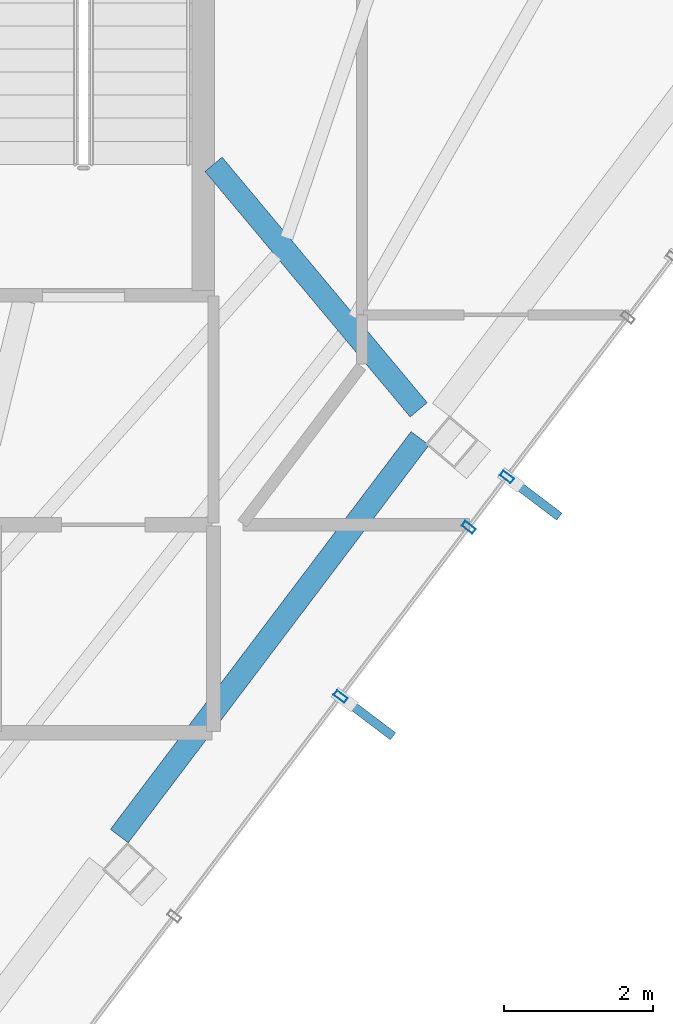
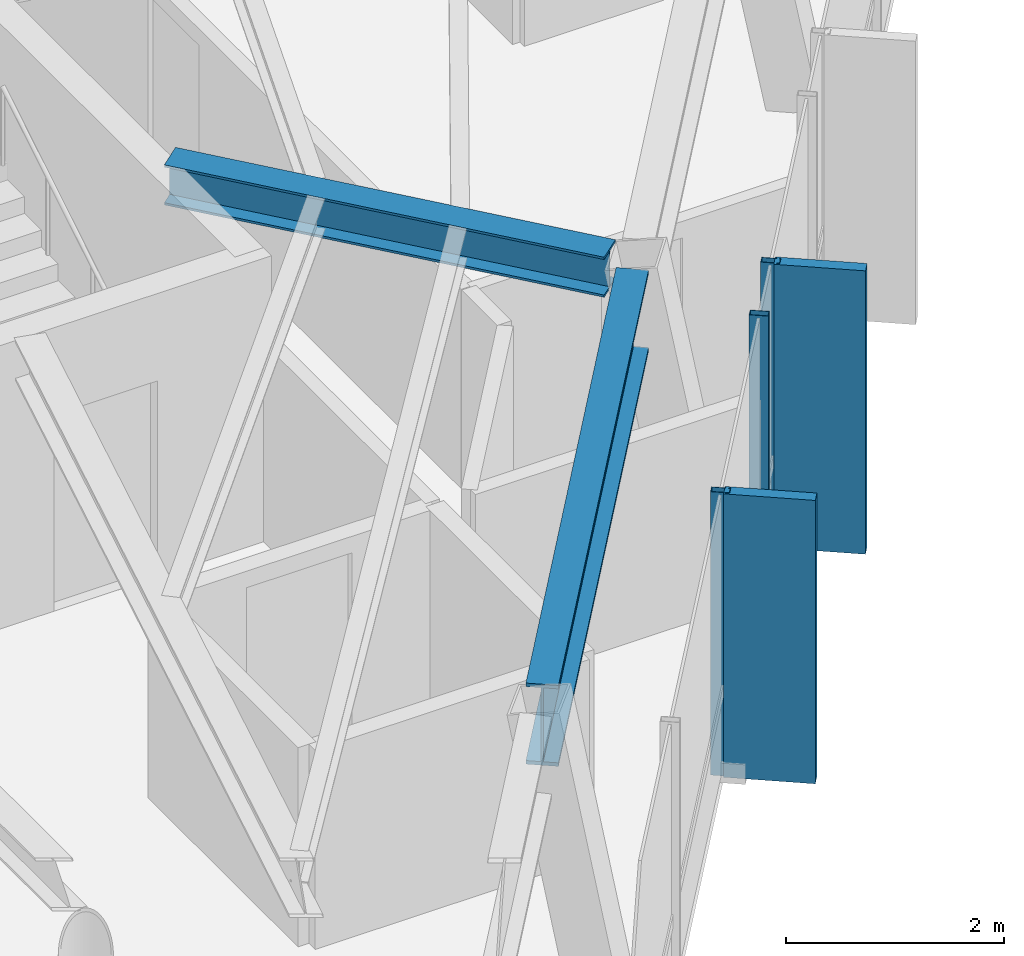
# One storey, part 16 of 26: 5 members, 2 beams, 1 element without a shape of its own.
"""IFC4 building model written with IfcOpenShell, lengths in metres."""

from ifc_helpers import new_model, si_unit, direction, frame, origin, origin_2d, place, context, subcontext, project, spatial, rectangle, hollow_rectangle, i_section, extrude, material, layer, layer_set, material_profile, profile_set, type_object, element, aggregate, save


model = new_model("IFC4")

# Units and contexts
model_context = context("Model", 3, precision=1e-05, world=origin(), true_north=direction((0.0, 1.0)))
body_context = subcontext(model_context, "Body", "Model", "MODEL_VIEW")
ifc_project = project(units=[si_unit("LENGTHUNIT", "METRE"), si_unit("AREAUNIT", "SQUARE_METRE"), si_unit("VOLUMEUNIT", "CUBIC_METRE"), si_unit("PLANEANGLEUNIT", "RADIAN"), si_unit("MASSUNIT", "GRAM", prefix="KILO")], contexts=[model_context])

# Site, building, storey
site_placement = place(None, origin())
site = spatial("IfcSite", under=ifc_project, at=site_placement, CompositionType="ELEMENT")
building_placement = place(site_placement, origin())
building = spatial("IfcBuilding", under=site, at=building_placement, Name="Zarrinselat Tower", CompositionType="ELEMENT")
storey_placement = place(building_placement, frame((0.0, 0.0, 265.199951171875)))
storey = spatial("IfcBuildingStorey", under=building, at=storey_placement, Name="L67", CompositionType="ELEMENT", Elevation=265.199951171875)

# Beams
ifc_material_1 = material(Name="Steel S355J2", Category="steel")
ifc_material_profile_1 = material_profile(ifc_material_1, i_section(OverallWidth=0.300048828125, OverallDepth=0.449951171875, WebThickness=0.013916015625, FlangeThickness=0.02587890625, at=origin_2d()), Name="HEB 450")
ifc_profile_set_1 = profile_set([ifc_material_profile_1], Name="Steel S355J2")
beam_type_1 = type_object("IfcBeamType", Name="BM-HEB450", PredefinedType="BEAM", material=ifc_profile_set_1)
beam_1_placement = place(storey_placement, frame((48.35009765625, 35.0, 2.955078125), z_axis=(0.64127675629, -0.767309664895, 0.0), x_axis=(0.767309664895, 0.64127675629, 0.0)))
element("IfcBeam", 1, at=beam_1_placement, inside=storey, type_object=beam_type_1, Name="L67 Radial Primary Girder RG13", PredefinedType="BEAM", context=body_context, shape_type="SweptSolid", body=[
    extrude(i_section(OverallWidth=0.300048828125, OverallDepth=0.449951171875, WebThickness=0.013916015625, FlangeThickness=0.02587890625, at=origin_2d()), origin(), (0.0, 0.0, 1.0), 4.30615234375),
])
ifc_material_2 = material(Name="Steel S460M", Category="steel")
ifc_material_profile_2 = material_profile(ifc_material_2, i_section(OverallWidth=0.302001953125, OverallDepth=0.909912109375, WebThickness=0.02099609375, FlangeThickness=0.0400390625, at=origin_2d()), Name="HEM 900")
ifc_profile_set_2 = profile_set([ifc_material_profile_2], Name="Steel S460M")
beam_type_2 = type_object("IfcBeamType", Name="BM-HEM900", PredefinedType="BEAM", material=ifc_profile_set_2)
beam_2_placement = place(storey_placement, frame((47.08203125, 25.9599609375, 2.72509765625), z_axis=(0.603161908748, 0.797618776005, 0.0), x_axis=(-0.797618776005, 0.603161908748, 0.0)))
element("IfcBeam", 2, at=beam_2_placement, inside=storey, type_object=beam_type_2, Name="L67 Perimeter Spandrel Girder SP12", PredefinedType="BEAM", context=body_context, shape_type="SweptSolid", body=[
    extrude(i_section(OverallWidth=0.302001953125, OverallDepth=0.909912109375, WebThickness=0.02099609375, FlangeThickness=0.0400390625, at=origin_2d()), origin(), (0.0, 0.0, 1.0), 6.710693359375),
])

# Curtain wall, members
ifc_material_3 = material(Name="Extruded Aluminium Alloy EN AW-6063 T6", Category="aluminium")
ifc_layer = layer(ifc_material_3, 0.199951171875)
ifc_layer_set = layer_set([ifc_layer], Name="Extruded Aluminium Alloy EN AW-6063 T6")
curtain_wall_type = type_object("IfcCurtainWallType", Name="CWS-BLADE", PredefinedType="NOTDEFINED", material=ifc_layer_set)
curtain_wall_placement = place(storey_placement, origin())
curtain_wall = element("IfcCurtainWall", 3, at=curtain_wall_placement, inside=storey, type_object=curtain_wall_type, Name="L67 Unitised Curtain Wall CW-L67-E05", PredefinedType="NOTDEFINED")
ifc_material_4 = material(Name="Extruded Aluminium Alloy EN AW-6063 T6", Category="aluminium")
ifc_material_profile_3 = material_profile(ifc_material_4, hollow_rectangle(XDim=0.080078125, YDim=0.179931640625, WallThickness=0.0048828125, at=origin_2d()), Name="RHS 180x80x5")
ifc_profile_set_3 = profile_set([ifc_material_profile_3], Name="Extruded Aluminium Alloy EN AW-6063 T6")
member_type_1 = type_object("IfcMemberType", Name="MEM-CW-MUL", PredefinedType="MULLION", material=ifc_profile_set_3)
member_1_placement = place(storey_placement, frame((50.059326171875, 27.837158203125, 0.0), z_axis=(0.0, 0.0, 1.0), x_axis=(0.603859570382, 0.7970907221, 0.0)))
member_1 = element("IfcMember", 4, at=member_1_placement, type_object=member_type_1, Name="CW-L67-E05 Mullion 3", PredefinedType="MULLION", context=body_context, shape_type="SweptSolid", body=[
    extrude(hollow_rectangle(XDim=0.080078125, YDim=0.179931640625, WallThickness=0.0048828125, at=origin_2d()), origin(), (0.0, 0.0, 1.0), 3.179931640625),
])
member_2_placement = place(storey_placement, frame((51.7841796875, 30.11376953125, 0.0), z_axis=(0.0, 0.0, 1.0), x_axis=(0.603859570382, 0.7970907221, 0.0)))
member_2 = element("IfcMember", 5, at=member_2_placement, type_object=member_type_1, Name="CW-L67-E05 Mullion 4", PredefinedType="MULLION", context=body_context, shape_type="SweptSolid", body=[
    extrude(hollow_rectangle(XDim=0.080078125, YDim=0.179931640625, WallThickness=0.0048828125, at=origin_2d()), origin(), (0.0, 0.0, 1.0), 3.179931640625),
])
member_3_placement = place(storey_placement, frame((52.29833984375, 30.79248046875, 0.0), z_axis=(0.0, 0.0, 1.0), x_axis=(0.603859570382, 0.7970907221, 0.0)))
member_3 = element("IfcMember", 6, at=member_3_placement, type_object=member_type_1, Name="CW-L67-E05 Mullion 5", PredefinedType="MULLION", context=body_context, shape_type="SweptSolid", body=[
    extrude(hollow_rectangle(XDim=0.080078125, YDim=0.179931640625, WallThickness=0.0048828125, at=origin_2d()), origin(), (0.0, 0.0, 1.0), 3.179931640625),
])
ifc_material_5 = material(Name="Honed Cream Travertine Stone", Category="masonry")
ifc_material_profile_4 = material_profile(ifc_material_5, rectangle(XDim=0.1201171875, YDim=0.85009765625, at=origin_2d()), Name="FIN 850x120")
ifc_profile_set_4 = profile_set([ifc_material_profile_4], Name="Honed Cream Travertine Stone")
member_type_2 = type_object("IfcMemberType", Name="MEM-STONE-FIN", PredefinedType="USERDEFINED", material=ifc_profile_set_4)
member_4_placement = place(storey_placement, frame((50.426025390625, 27.559326171875, 0.0), z_axis=(0.0, 0.0, 1.0), x_axis=(-0.603859570382, -0.7970907221, 0.0)))
member_4 = element("IfcMember", 7, at=member_4_placement, type_object=member_type_2, Name="L67 Stone Shading Fin CW-L67-E05-03", ObjectType="FIN", PredefinedType="USERDEFINED", context=body_context, shape_type="SweptSolid", body=[
    extrude(rectangle(XDim=0.1201171875, YDim=0.85009765625, at=origin_2d()), origin(), (0.0, 0.0, 1.0), 3.179931640625),
])
member_5_placement = place(storey_placement, frame((52.6650390625, 30.5146484375, 0.0), z_axis=(0.0, 0.0, 1.0), x_axis=(-0.603859570382, -0.7970907221, 0.0)))
member_5 = element("IfcMember", 8, at=member_5_placement, type_object=member_type_2, Name="L67 Stone Shading Fin CW-L67-E05-05", ObjectType="FIN", PredefinedType="USERDEFINED", context=body_context, shape_type="SweptSolid", body=[
    extrude(rectangle(XDim=0.1201171875, YDim=0.85009765625, at=origin_2d()), origin(), (0.0, 0.0, 1.0), 3.179931640625),
])
aggregate(curtain_wall, [member_1, member_4, member_2, member_3, member_5])

save(model, "model.ifc")
